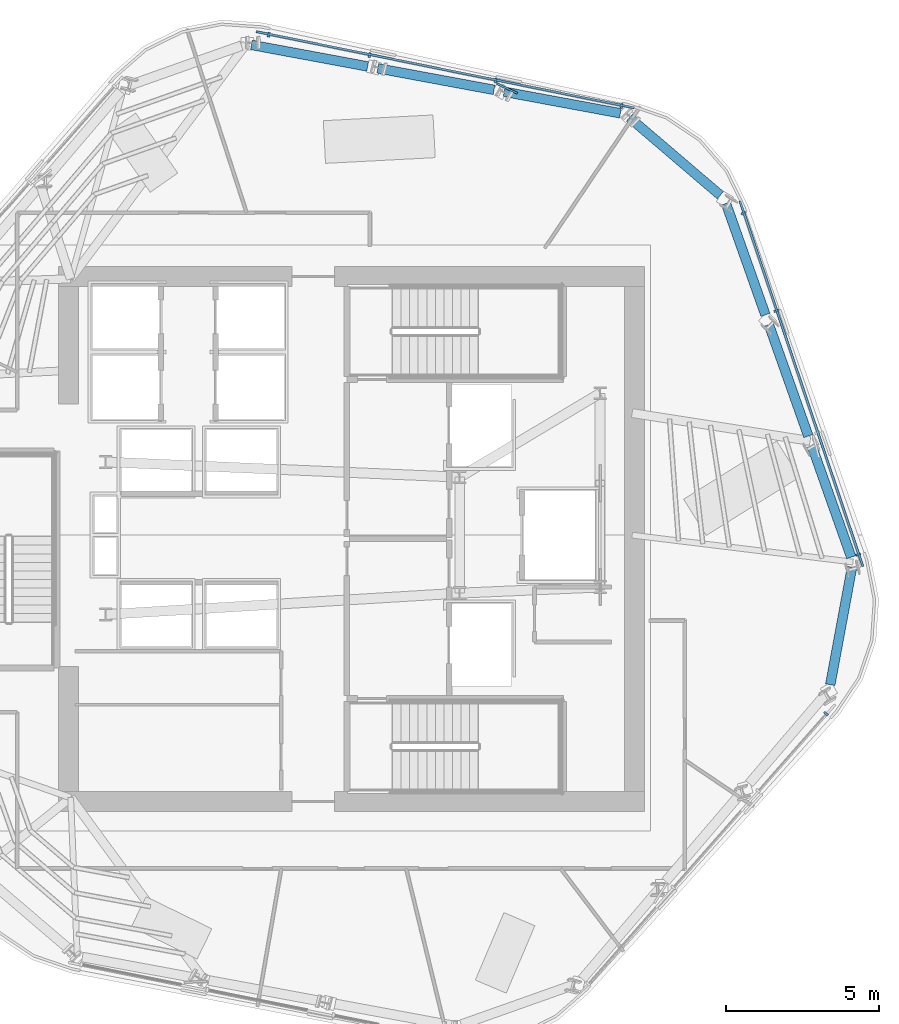
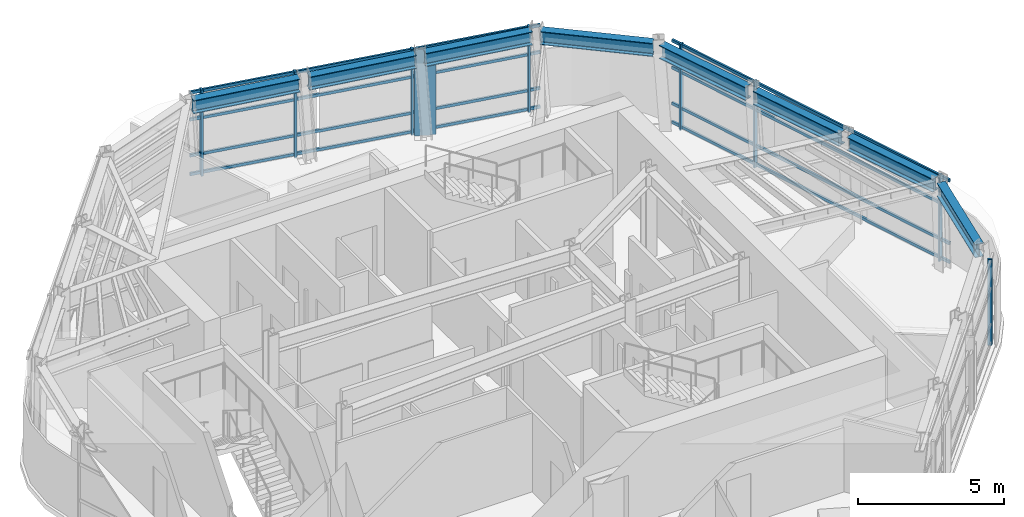
# One storey, part 4 of 12: 17 members, 8 beams, 3 elements without a shape of their own.
"""IFC4 building model written with IfcOpenShell, lengths in metres."""

import ifcopenshell
import ifcopenshell.guid

model = None  # the IFC model being written
_history = None  # IfcOwnerHistory: only IFC2X3 demands one
_inside = {}  # id of a spatial element -> (the spatial element, [elements in it])
_under = {}  # id of a project, library or spatial element -> (it, [spatial elements below it])
_declared = {}  # id of a project -> (the project, [libraries it declares])
_typed = {}  # id of a type object -> (the type object, [elements of that type])
_made_of = {}  # id of a material, layer set ... -> (it, [elements and type objects made of it])


def new_model(schema):
    """Start an empty IFC model of exactly this schema.

    Asked for "IFC4X3", IfcOpenShell would pick the latest addendum, in which some entities
    have other attributes; the version numbers below select the first issue.
    IFC2X3 requires an IfcOwnerHistory on every rooted entity: one is made here for all.
    """
    global model, _history
    if schema == "IFC4X3":
        model = ifcopenshell.file(schema_version=(4, 3, 0, 0))
    else:
        model = ifcopenshell.file(schema=schema)
    _inside.clear()
    _under.clear()
    _declared.clear()
    _typed.clear()
    _made_of.clear()
    _history = None
    if model.schema == "IFC2X3":
        org = make("IfcOrganization", Name="unknown")
        user = make(
            "IfcPersonAndOrganization",
            ThePerson=make("IfcPerson", FamilyName="unknown"),
            TheOrganization=org,
        )
        app = make(
            "IfcApplication",
            ApplicationDeveloper=org,
            Version="unknown",
            ApplicationFullName="unknown",
            ApplicationIdentifier="unknown",
        )
        _history = make(
            "IfcOwnerHistory",
            OwningUser=user,
            OwningApplication=app,
            ChangeAction="ADDED",
            CreationDate=0,
        )
    return model


def make(cls, **values):
    """One entity of the class cls with the attributes given. An attribute that is None is left unset."""
    return model.create_entity(
        cls, **{name: value for name, value in values.items() if value is not None}
    )


def rooted(cls, **values):
    """An entity with a GlobalId (a new one), such as an element, a storey or a relation."""
    return make(cls, GlobalId=ifcopenshell.guid.new(), OwnerHistory=_history, **values)


def si_unit(unit_type, name, prefix=None):
    """IfcSIUnit, for example si_unit("LENGTHUNIT", "METRE", prefix="MILLI")."""
    return make("IfcSIUnit", UnitType=unit_type, Prefix=prefix, Name=name)


def assignment(units):
    """IfcUnitAssignment: the units of a project."""
    return None if units is None else make("IfcUnitAssignment", Units=units)


def point(xyz):
    """IfcCartesianPoint."""
    return None if xyz is None else make("IfcCartesianPoint", Coordinates=xyz)


def direction(xyz):
    """IfcDirection."""
    return None if xyz is None else make("IfcDirection", DirectionRatios=xyz)


def frame(location, z_axis=None, x_axis=None):
    """IfcAxis2Placement3D, a coordinate frame: its origin and axes. An axis left out is left unset."""
    return make(
        "IfcAxis2Placement3D",
        Location=point(location),
        Axis=direction(z_axis),
        RefDirection=direction(x_axis),
    )


def frame_2d(location, x_axis=None):
    """IfcAxis2Placement2D, a coordinate frame in the plane: its origin and x axis."""
    return make(
        "IfcAxis2Placement2D", Location=point(location), RefDirection=direction(x_axis)
    )


def origin():
    """The frame at (0, 0, 0) with its axes left unset."""
    return frame((0.0, 0.0, 0.0))


def origin_2d():
    """The frame at (0, 0) in the plane with its x axis left unset."""
    return frame_2d((0.0, 0.0))


def place(relative_to, where):
    """IfcLocalPlacement: puts the frame where relative to a parent placement (None: the world)."""
    return make(
        "IfcLocalPlacement", PlacementRelTo=relative_to, RelativePlacement=where
    )


def context(
    kind, dimensions, precision=None, world=None, true_north=None, identifier=None
):
    """IfcGeometricRepresentationContext, for example the 3D "Model" context."""
    return make(
        "IfcGeometricRepresentationContext",
        ContextIdentifier=identifier,
        ContextType=kind,
        CoordinateSpaceDimension=dimensions,
        Precision=precision,
        WorldCoordinateSystem=world,
        TrueNorth=true_north,
    )


def subcontext(parent, identifier, kind, view, scale=None):
    """IfcGeometricRepresentationSubContext, for example "Body" below "Model"."""
    return make(
        "IfcGeometricRepresentationSubContext",
        ContextIdentifier=identifier,
        ContextType=kind,
        ParentContext=parent,
        TargetScale=scale,
        TargetView=view,
    )


def project(units=None, contexts=None):
    """IfcProject with its units and contexts."""
    return rooted(
        "IfcProject",
        Name="project",
        RepresentationContexts=contexts,
        UnitsInContext=assignment(units),
    )


def spatial(cls, under=None, at=None, **own):
    """A site, building, storey or space (cls), placed at a placement, below another one or the project."""
    s = rooted(cls, ObjectPlacement=at, **own)
    if under is not None:
        _under.setdefault(under.id(), (under, []))[1].append(s)
    return s


def profile(cls, at=None, kind="AREA", **sizes):
    """A parametric profile (cls). Its sizes go by their IFC names, for example OverallWidth=200.0."""
    return make(cls, ProfileType=kind, Position=at, **sizes)


def rectangle(**sizes):
    """IfcRectangleProfileDef."""
    return profile("IfcRectangleProfileDef", **sizes)


def i_section(**sizes):
    """IfcIShapeProfileDef."""
    return profile("IfcIShapeProfileDef", **sizes)


def extrude(swept, where, along, depth):
    """IfcExtrudedAreaSolid: the profile swept, set in the frame where, extruded along a direction by depth."""
    return make(
        "IfcExtrudedAreaSolid",
        SweptArea=swept,
        Position=where,
        ExtrudedDirection=direction(along),
        Depth=depth,
    )


def shape(context_of_items, identifier, shape_type, items):
    """IfcShapeRepresentation: the items that make up one representation, for example the "Body"."""
    return make(
        "IfcShapeRepresentation",
        ContextOfItems=context_of_items,
        RepresentationIdentifier=identifier,
        RepresentationType=shape_type,
        Items=items,
    )


def material(Name=None, Category=None):
    """IfcMaterial."""
    return make("IfcMaterial", Name=Name, Category=Category)


def layer(
    of_material, thickness, ventilated=None, Name=None, Category=None, Priority=None
):
    """IfcMaterialLayer: one layer of a wall or slab, of a material (None: an air gap)."""
    return make(
        "IfcMaterialLayer",
        Material=of_material,
        LayerThickness=thickness,
        IsVentilated=ventilated,
        Name=Name,
        Category=Category,
        Priority=Priority,
    )


def layer_set(layers, Name=None):
    """IfcMaterialLayerSet."""
    return make("IfcMaterialLayerSet", MaterialLayers=layers, LayerSetName=Name)


def material_profile(
    of_material, cross_section, Name=None, Category=None, Priority=None
):
    """IfcMaterialProfile: a cross section and its material."""
    return make(
        "IfcMaterialProfile",
        Name=Name,
        Material=of_material,
        Profile=cross_section,
        Priority=Priority,
        Category=Category,
    )


def profile_set(profiles, Name=None, composite=None):
    """IfcMaterialProfileSet."""
    return make(
        "IfcMaterialProfileSet",
        Name=Name,
        MaterialProfiles=profiles,
        CompositeProfile=composite,
    )


def made_of(thing, what):
    """Note that an element or type object is made of a material, layer set ...; save() writes the relation."""
    if what is not None:
        _made_of.setdefault(what.id(), (what, []))[1].append(thing)
    return thing


def type_object(cls, material=None, **own):
    """A type object (cls), such as IfcWallType, which elements share."""
    return made_of(rooted(cls, **own), material)


def element(
    cls,
    number,
    at=None,
    inside=None,
    cuts=None,
    type_object=None,
    material=None,
    context=None,
    identifier="Body",
    shape_type=None,
    held_by="IfcProductDefinitionShape",
    body=None,
    shapes=None,
    **own,
):
    """One element of the class cls, such as IfcWall. Its Tag is "e" and its number.

    at: its placement. inside: the storey or other place that contains it. cuts: it is an
    opening in that element (IfcRelVoidsElement). A single representation is given by context,
    identifier, shape_type and body (its items); several are given by shapes. held_by: the class
    of the entity that holds the representations. save() writes the other relations.
    """
    e = rooted(cls, Tag="e%d" % number, ObjectPlacement=at, **own)
    if body is not None:
        shapes = [shape(context, identifier, shape_type, body)]
    if shapes is not None:
        e.Representation = make(held_by, Representations=shapes)
    if inside is not None:
        _inside.setdefault(inside.id(), (inside, []))[1].append(e)
    if cuts is not None:
        rooted(
            "IfcRelVoidsElement", RelatingBuildingElement=cuts, RelatedOpeningElement=e
        )
    if type_object is not None:
        _typed.setdefault(type_object.id(), (type_object, []))[1].append(e)
    return made_of(e, material)


def aggregate(whole, parts):
    """IfcRelAggregates: a whole, such as a stair, and the parts it consists of."""
    return rooted("IfcRelAggregates", RelatingObject=whole, RelatedObjects=parts)


def save(model, path):
    """Write the relations noted so far, then the file.

    IfcRelAggregates (storeys below a building ...), IfcRelContainedInSpatialStructure (elements
    in a storey), IfcRelDefinesByType, IfcRelAssociatesMaterial and IfcRelDeclares: one each for
    every whole, place, type object, material and project.
    """
    for whole, parts in _under.values():
        aggregate(whole, parts)
    for where, things in _inside.values():
        rooted(
            "IfcRelContainedInSpatialStructure",
            RelatedElements=things,
            RelatingStructure=where,
        )
    for kind, things in _typed.values():
        rooted("IfcRelDefinesByType", RelatedObjects=things, RelatingType=kind)
    for what, things in _made_of.values():
        rooted("IfcRelAssociatesMaterial", RelatedObjects=things, RelatingMaterial=what)
    for by, libraries in _declared.values():
        rooted("IfcRelDeclares", RelatingContext=by, RelatedDefinitions=libraries)
    model.write(path)


model = new_model("IFC4")

# Units and contexts
model_context = context("Model", 3, precision=1e-05, world=origin(), true_north=direction((0.0, 1.0)))
body_context = subcontext(model_context, "Body", "Model", "MODEL_VIEW")
ifc_project = project(units=[si_unit("LENGTHUNIT", "METRE"), si_unit("AREAUNIT", "SQUARE_METRE"), si_unit("VOLUMEUNIT", "CUBIC_METRE"), si_unit("PLANEANGLEUNIT", "RADIAN"), si_unit("MASSUNIT", "GRAM", prefix="KILO")], contexts=[model_context])

# Site, building, storey
site_placement = place(None, origin())
site = spatial("IfcSite", under=ifc_project, at=site_placement, CompositionType="ELEMENT")
building_placement = place(site_placement, origin())
building = spatial("IfcBuilding", under=site, at=building_placement, Name="Valkerne Bourse Tower", CompositionType="ELEMENT")
storey_placement = place(building_placement, frame((0.0, 0.0, 232.199951171875)))
storey = spatial("IfcBuildingStorey", under=building, at=storey_placement, Name="L59", CompositionType="ELEMENT", Elevation=232.199951171875)

# Beams
ifc_material_1 = material(Name="Steel ASTM A992", Category="steel")
ifc_material_profile_1 = material_profile(ifc_material_1, i_section(OverallWidth=0.31494140625, OverallDepth=0.5537109375, WebThickness=0.0166015625, FlangeThickness=0.026123046875, FilletRadius=0.020263671875, at=origin_2d()), Name="W21X132")
ifc_profile_set_1 = profile_set([ifc_material_profile_1], Name="Steel ASTM A992")
beam_type = type_object("IfcBeamType", Name="BM-W21X132", PredefinedType="BEAM", material=ifc_profile_set_1)
for number, where, z_axis, x_axis, name in (
    (1, (55.61474609375, 40.823974609375, 3.3232421875), (-0.983256908036, 0.182224731578, 0.0), (-0.182224731578, -0.983256908036, 0.0), "L59 Hexagonal Spandrel Ring Beam 00"),
    (2, (51.473388671875, 41.591552734375, 3.3232421875), (-0.983256908036, 0.182224731578, 0.0), (-0.182224731578, -0.983256908036, 0.0), "L59 Hexagonal Spandrel Ring Beam 01"),
    (3, (47.331787109375, 42.35888671875, 3.3232421875), (-0.983245608739, 0.182285690321, 0.0), (-0.182285690321, -0.983245608739, 0.0), "L59 Hexagonal Spandrel Ring Beam 02"),
):
    element("IfcBeam", number, at=place(storey_placement, frame(where, z_axis=z_axis, x_axis=x_axis)), inside=storey, type_object=beam_type, Name=name, PredefinedType="BEAM", context=body_context, shape_type="SweptSolid", body=[
        extrude(i_section(OverallWidth=0.31494140625, OverallDepth=0.5537109375, WebThickness=0.0166015625, FlangeThickness=0.026123046875, FilletRadius=0.020263671875, at=origin_2d()), origin(), (0.0, 0.0, 1.0), 3.8720703125),
    ])
beam_1_placement = place(storey_placement, frame((62.491455078125, 22.1005859375, 3.3232421875), z_axis=(0.182247777863, 0.983252636642, 0.0), x_axis=(-0.983252636642, 0.182247777863, 0.0)))
element("IfcBeam", 4, at=beam_1_placement, inside=storey, type_object=beam_type, Name="L59 Hexagonal Spandrel Ring Beam 19", PredefinedType="BEAM", context=body_context, shape_type="SweptSolid", body=[
    extrude(i_section(OverallWidth=0.31494140625, OverallDepth=0.5537109375, WebThickness=0.0166015625, FlangeThickness=0.026123046875, FilletRadius=0.020263671875, at=origin_2d()), origin(), (0.0, 0.0, 1.0), 3.915771484375),
])
beam_2_placement = place(storey_placement, frame((63.17919921875, 26.278076171875, 3.3232421875), z_axis=(-0.33380278833, 0.942642932665, 0.0), x_axis=(-0.942642932665, -0.33380278833, 0.0)))
element("IfcBeam", 5, at=beam_2_placement, inside=storey, type_object=beam_type, Name="L59 Hexagonal Spandrel Ring Beam 20", PredefinedType="BEAM", context=body_context, shape_type="SweptSolid", body=[
    extrude(i_section(OverallWidth=0.31494140625, OverallDepth=0.5537109375, WebThickness=0.0166015625, FlangeThickness=0.026123046875, FilletRadius=0.020263671875, at=origin_2d()), origin(), (0.0, 0.0, 1.0), 3.8720703125),
])
for number, where, z_axis, x_axis, name in (
    (6, (61.773193359375, 30.248291015625, 3.3232421875), (-0.333782949365, 0.94264995768, 0.0), (-0.94264995768, -0.333782949365, 0.0), "L59 Hexagonal Spandrel Ring Beam 21"),
    (7, (60.3671875, 34.21875, 3.3232421875), (-0.333782949365, 0.94264995768, 0.0), (-0.94264995768, -0.333782949365, 0.0), "L59 Hexagonal Spandrel Ring Beam 22"),
):
    element("IfcBeam", number, at=place(storey_placement, frame(where, z_axis=z_axis, x_axis=x_axis)), inside=storey, type_object=beam_type, Name=name, PredefinedType="BEAM", context=body_context, shape_type="SweptSolid", body=[
        extrude(i_section(OverallWidth=0.31494140625, OverallDepth=0.5537109375, WebThickness=0.0166015625, FlangeThickness=0.026123046875, FilletRadius=0.020263671875, at=origin_2d()), origin(), (0.0, 0.0, 1.0), 3.872314453125),
    ])
beam_3_placement = place(storey_placement, frame((58.888671875, 38.139404296875, 3.3232421875), z_axis=(-0.76036020664, 0.649501621367, 0.0), x_axis=(-0.649501621367, -0.76036020664, 0.0)))
element("IfcBeam", 8, at=beam_3_placement, inside=storey, type_object=beam_type, Name="L59 Hexagonal Spandrel Ring Beam 23", PredefinedType="BEAM", context=body_context, shape_type="SweptSolid", body=[
    extrude(i_section(OverallWidth=0.31494140625, OverallDepth=0.5537109375, WebThickness=0.0166015625, FlangeThickness=0.026123046875, FilletRadius=0.020263671875, at=origin_2d()), origin(), (0.0, 0.0, 1.0), 3.91552734375),
])

# Curtain wall, members
ifc_material_2 = material(Name="Aluminium AA 6063-T6", Category="aluminium")
ifc_layer = layer(ifc_material_2, 0.239990234375)
ifc_layer_set = layer_set([ifc_layer], Name="Aluminium AA 6063-T6")
curtain_wall_type = type_object("IfcCurtainWallType", Name="CW-04", PredefinedType="NOTDEFINED", material=ifc_layer_set)
curtain_wall_1_placement = place(storey_placement, origin())
curtain_wall_1 = element("IfcCurtainWall", 9, at=curtain_wall_1_placement, inside=storey, type_object=curtain_wall_type, Name="L59 Hexagonal Stick Curtain Wall Face 1", PredefinedType="NOTDEFINED")
ifc_material_profile_2 = material_profile(ifc_material_2, rectangle(XDim=0.074951171875, YDim=0.159912109375, at=origin_2d()), Name="CWM-75X160")
ifc_profile_set_2 = profile_set([ifc_material_profile_2], Name="Aluminium AA 6063-T6")
member_type_1 = type_object("IfcMemberType", Name="CW-MUL-160X75", PredefinedType="MULLION", material=ifc_profile_set_2)
member_1_placement = place(storey_placement, frame((55.653076171875, 41.06640625, 0.0), z_axis=(0.0, 0.0, 1.0), x_axis=(-0.980272659365, 0.197649976729, 0.0)))
member_1 = element("IfcMember", 10, at=member_1_placement, type_object=member_type_1, Name="CW-L59-F1 Jamb Mullion 00A", PredefinedType="MULLION", context=body_context, shape_type="SweptSolid", body=[
    extrude(rectangle(XDim=0.074951171875, YDim=0.159912109375, at=origin_2d()), origin(), (0.0, 0.0, 1.0), 3.60009765625),
])
member_2_placement = place(storey_placement, frame((51.524169921875, 41.89892578125, 0.0), z_axis=(0.0, 0.0, 1.0), x_axis=(-0.980268059139, 0.197672790823, 0.0)))
member_2 = element("IfcMember", 11, at=member_2_placement, type_object=member_type_1, Name="CW-L59-F1 Jamb Mullion 01A", PredefinedType="MULLION", context=body_context, shape_type="SweptSolid", body=[
    extrude(rectangle(XDim=0.074951171875, YDim=0.159912109375, at=origin_2d()), origin(), (0.0, 0.0, 1.0), 3.60009765625),
])
member_3_placement = place(storey_placement, frame((47.395263671875, 42.7314453125, 0.0), z_axis=(0.0, 0.0, 1.0), x_axis=(-0.980272659365, 0.197649976729, 0.0)))
member_3 = element("IfcMember", 12, at=member_3_placement, type_object=member_type_1, Name="CW-L59-F1 Jamb Mullion 02A", PredefinedType="MULLION", context=body_context, shape_type="SweptSolid", body=[
    extrude(rectangle(XDim=0.074951171875, YDim=0.159912109375, at=origin_2d()), origin(), (0.0, 0.0, 1.0), 3.60009765625),
])
member_4_placement = place(storey_placement, frame((44.089599609375, 43.39794921875, 0.0), z_axis=(0.0, 0.0, 1.0), x_axis=(-0.980272659365, 0.197649976729, 0.0)))
member_4 = element("IfcMember", 13, at=member_4_placement, type_object=member_type_1, Name="CW-L59-F1 Jamb Mullion 02B", PredefinedType="MULLION", context=body_context, shape_type="SweptSolid", body=[
    extrude(rectangle(XDim=0.074951171875, YDim=0.159912109375, at=origin_2d()), origin(), (0.0, 0.0, 1.0), 3.60009765625),
])

# Curtain wall, member
curtain_wall_2_placement = place(storey_placement, origin())
curtain_wall_2 = element("IfcCurtainWall", 14, at=curtain_wall_2_placement, inside=storey, type_object=curtain_wall_type, Name="L59 Hexagonal Stick Curtain Wall Face 5", PredefinedType="NOTDEFINED")
member_5_placement = place(storey_placement, frame((62.356201171875, 21.148193359375, 0.0), z_axis=(0.0, 0.0, 1.0), x_axis=(0.661301987513, 0.750119777976, 0.0)))
member_5 = element("IfcMember", 15, at=member_5_placement, type_object=member_type_1, Name="CW-L59-F5 Jamb Mullion 02B", PredefinedType="MULLION", context=body_context, shape_type="SweptSolid", body=[
    extrude(rectangle(XDim=0.074951171875, YDim=0.159912109375, at=origin_2d()), origin(), (0.0, 0.0, 1.0), 3.60009765625),
])
aggregate(curtain_wall_2, [member_5])

# Curtain wall, members
curtain_wall_3_placement = place(storey_placement, origin())
curtain_wall_3 = element("IfcCurtainWall", 16, at=curtain_wall_3_placement, inside=storey, type_object=curtain_wall_type, Name="L59 Hexagonal Stick Curtain Wall Face 6", PredefinedType="NOTDEFINED")
member_6_placement = place(storey_placement, frame((63.408447265625, 26.3662109375, 0.0), z_axis=(0.0, 0.0, 1.0), x_axis=(-0.318968601555, 0.947765282769, 0.0)))
member_6 = element("IfcMember", 17, at=member_6_placement, type_object=member_type_1, Name="CW-L59-F6 Jamb Mullion 00A", PredefinedType="MULLION", context=body_context, shape_type="SweptSolid", body=[
    extrude(rectangle(XDim=0.074951171875, YDim=0.159912109375, at=origin_2d()), origin(), (0.0, 0.0, 1.0), 3.60009765625),
])
member_7_placement = place(storey_placement, frame((60.721435546875, 34.350341796875, 0.0), z_axis=(0.0, 0.0, 1.0), x_axis=(-0.318968601555, 0.947765282769, 0.0)))
member_7 = element("IfcMember", 18, at=member_7_placement, type_object=member_type_1, Name="CW-L59-F6 Jamb Mullion 02A", PredefinedType="MULLION", context=body_context, shape_type="SweptSolid", body=[
    extrude(rectangle(XDim=0.074951171875, YDim=0.159912109375, at=origin_2d()), origin(), (0.0, 0.0, 1.0), 3.60009765625),
])
member_8_placement = place(storey_placement, frame((59.64599609375, 37.546142578125, 0.0), z_axis=(0.0, 0.0, 1.0), x_axis=(-0.318968601555, 0.947765282769, 0.0)))
member_8 = element("IfcMember", 19, at=member_8_placement, type_object=member_type_1, Name="CW-L59-F6 Jamb Mullion 02B", PredefinedType="MULLION", context=body_context, shape_type="SweptSolid", body=[
    extrude(rectangle(XDim=0.074951171875, YDim=0.159912109375, at=origin_2d()), origin(), (0.0, 0.0, 1.0), 3.60009765625),
])

# Member
ifc_material_profile_3 = material_profile(ifc_material_2, rectangle(XDim=0.074951171875, YDim=0.1201171875, at=origin_2d()), Name="CWT-75X120")
ifc_profile_set_3 = profile_set([ifc_material_profile_3], Name="Aluminium AA 6063-T6")
member_type_2 = type_object("IfcMemberType", Name="CW-TRN-120X75", PredefinedType="USERDEFINED", material=ifc_profile_set_3)
member_9_placement = place(storey_placement, frame((56.068603515625, 41.0029296875, 0.1201171875), z_axis=(-0.980271818892, 0.197654145129, 0.0), x_axis=(-0.197654145129, -0.980271818892, 0.0)))
member_9 = element("IfcMember", 20, at=member_9_placement, type_object=member_type_2, Name="CW-L59-F1 Continuous Face Transom 1", ObjectType="TRANSOM", PredefinedType="USERDEFINED", context=body_context, shape_type="SweptSolid", body=[
    extrude(rectangle(XDim=0.074951171875, YDim=0.1201171875, at=origin_2d()), origin(), (0.0, 0.0, 1.0), 12.635986328125),
])

member_10_placement = place(storey_placement, frame((56.068603515625, 41.0029296875, 0.900146484375), z_axis=(-0.980271818892, 0.197654145129, 0.0), x_axis=(-0.197654145129, -0.980271818892, 0.0)))
member_10 = element("IfcMember", 21, at=member_10_placement, type_object=member_type_2, Name="CW-L59-F1 Continuous Face Transom 2", ObjectType="TRANSOM", PredefinedType="USERDEFINED", context=body_context, shape_type="SweptSolid", body=[
    extrude(rectangle(XDim=0.074951171875, YDim=0.1201171875, at=origin_2d()), origin(), (0.0, 0.0, 1.0), 12.635986328125),
])

member_11_placement = place(storey_placement, frame((56.068603515625, 41.0029296875, 2.400146484375), z_axis=(-0.980271818892, 0.197654145129, 0.0), x_axis=(-0.197654145129, -0.980271818892, 0.0)))
member_11 = element("IfcMember", 22, at=member_11_placement, type_object=member_type_2, Name="CW-L59-F1 Continuous Face Transom 3", ObjectType="TRANSOM", PredefinedType="USERDEFINED", context=body_context, shape_type="SweptSolid", body=[
    extrude(rectangle(XDim=0.074951171875, YDim=0.1201171875, at=origin_2d()), origin(), (0.0, 0.0, 1.0), 12.635986328125),
])

member_12_placement = place(storey_placement, frame((56.068603515625, 41.0029296875, 3.52001953125), z_axis=(-0.980271818892, 0.197654145129, 0.0), x_axis=(-0.197654145129, -0.980271818892, 0.0)))
member_12 = element("IfcMember", 23, at=member_12_placement, type_object=member_type_2, Name="CW-L59-F1 Continuous Face Transom 4", ObjectType="TRANSOM", PredefinedType="USERDEFINED", context=body_context, shape_type="SweptSolid", body=[
    extrude(rectangle(XDim=0.074951171875, YDim=0.1201171875, at=origin_2d()), origin(), (0.0, 0.0, 1.0), 12.635986328125),
])

aggregate(curtain_wall_1, [member_9, member_10, member_11, member_12, member_1, member_2, member_3, member_4])

member_13_placement = place(storey_placement, frame((63.561279296875, 25.974609375, 0.1201171875), z_axis=(-0.318950720204, 0.947771300516, 0.0), x_axis=(-0.947771300516, -0.318950720204, 0.0)))
member_13 = element("IfcMember", 24, at=member_13_placement, type_object=member_type_2, Name="CW-L59-F6 Continuous Face Transom 1", ObjectType="TRANSOM", PredefinedType="USERDEFINED", context=body_context, shape_type="SweptSolid", body=[
    extrude(rectangle(XDim=0.074951171875, YDim=0.1201171875, at=origin_2d()), origin(), (0.0, 0.0, 1.0), 12.635986328125),
])

member_14_placement = place(storey_placement, frame((63.561279296875, 25.974609375, 0.900146484375), z_axis=(-0.318950720204, 0.947771300516, 0.0), x_axis=(-0.947771300516, -0.318950720204, 0.0)))
member_14 = element("IfcMember", 25, at=member_14_placement, type_object=member_type_2, Name="CW-L59-F6 Continuous Face Transom 2", ObjectType="TRANSOM", PredefinedType="USERDEFINED", context=body_context, shape_type="SweptSolid", body=[
    extrude(rectangle(XDim=0.074951171875, YDim=0.1201171875, at=origin_2d()), origin(), (0.0, 0.0, 1.0), 12.635986328125),
])

member_15_placement = place(storey_placement, frame((63.561279296875, 25.974609375, 2.400146484375), z_axis=(-0.318950720204, 0.947771300516, 0.0), x_axis=(-0.947771300516, -0.318950720204, 0.0)))
member_15 = element("IfcMember", 26, at=member_15_placement, type_object=member_type_2, Name="CW-L59-F6 Continuous Face Transom 3", ObjectType="TRANSOM", PredefinedType="USERDEFINED", context=body_context, shape_type="SweptSolid", body=[
    extrude(rectangle(XDim=0.074951171875, YDim=0.1201171875, at=origin_2d()), origin(), (0.0, 0.0, 1.0), 12.635986328125),
])

member_16_placement = place(storey_placement, frame((63.561279296875, 25.974609375, 3.52001953125), z_axis=(-0.318950720204, 0.947771300516, 0.0), x_axis=(-0.947771300516, -0.318950720204, 0.0)))
member_16 = element("IfcMember", 27, at=member_16_placement, type_object=member_type_2, Name="CW-L59-F6 Continuous Face Transom 4", ObjectType="TRANSOM", PredefinedType="USERDEFINED", context=body_context, shape_type="SweptSolid", body=[
    extrude(rectangle(XDim=0.074951171875, YDim=0.1201171875, at=origin_2d()), origin(), (0.0, 0.0, 1.0), 12.635986328125),
])

aggregate(curtain_wall_3, [member_13, member_14, member_15, member_16, member_6, member_7, member_8])

ifc_material_3 = material(Name="Bronze Anodised Aluminium AA 6063-T6", Category="aluminium")
ifc_material_profile_4 = material_profile(ifc_material_3, rectangle(XDim=0.06494140625, YDim=0.75, at=origin_2d()), Name="FIN-65X750")
ifc_profile_set_4 = profile_set([ifc_material_profile_4], Name="Bronze Anodised Aluminium AA 6063-T6")
member_type_3 = type_object("IfcMemberType", Name="FIN-SOLAR-650", PredefinedType="USERDEFINED", material=ifc_profile_set_4)
member_17_placement = place(storey_placement, frame((51.900146484375, 41.639404296875, 0.004150390625), z_axis=(0.0, 0.0, 1.0), x_axis=(0.423369640342, 0.905957034101, 0.0)))
element("IfcMember", 28, at=member_17_placement, inside=storey, type_object=member_type_3, Name="L59 Bronze Anodised Solar Fin F1-01", ObjectType="SOLAR_FIN", PredefinedType="USERDEFINED", context=body_context, shape_type="SweptSolid", body=[
    extrude(rectangle(XDim=0.06494140625, YDim=0.75, at=origin_2d()), origin(), (0.0, 0.0, 1.0), 3.591796875),
])

save(model, "model.ifc")
